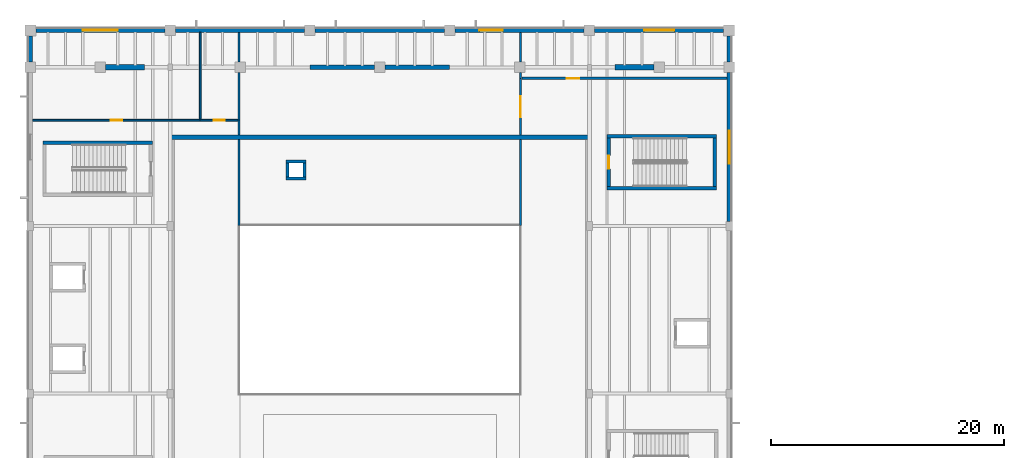
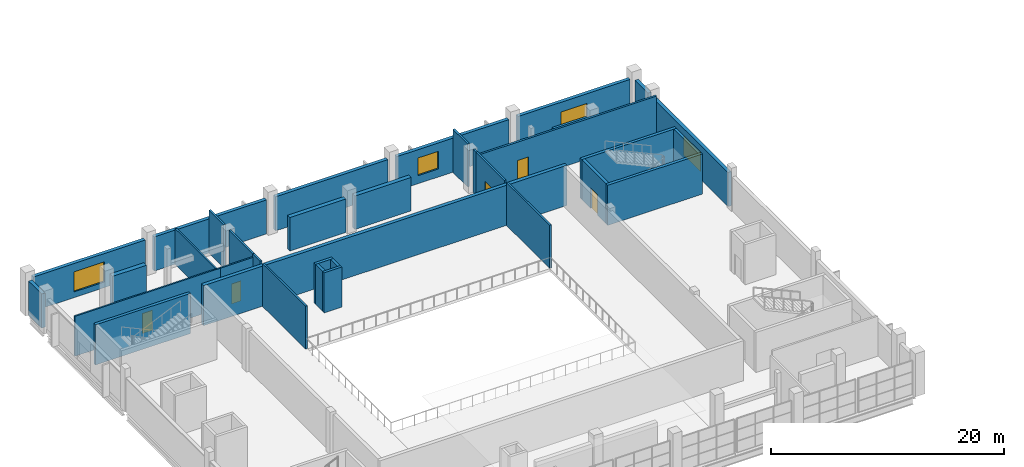
# One storey, part 59 of 78: 34 walls, 5 doors, 4 windows, 9 openings.
"""IFC4 building model written with IfcOpenShell, lengths in metres."""

from ifc_helpers import new_model, si_unit, direction, frame, frame_2d, origin, place, context, subcontext, project, spatial, rectangle, extrude, material, layer, layer_set, type_object, element, fill, save


model = new_model("IFC4")

# Units and contexts
model_context = context("Model", 3, precision=1e-05, world=origin(), true_north=direction((0.0, 1.0)))
body_context = subcontext(model_context, "Body", "Model", "MODEL_VIEW")
ifc_project = project(units=[si_unit("LENGTHUNIT", "METRE"), si_unit("AREAUNIT", "SQUARE_METRE"), si_unit("VOLUMEUNIT", "CUBIC_METRE"), si_unit("PLANEANGLEUNIT", "RADIAN"), si_unit("MASSUNIT", "GRAM", prefix="KILO")], contexts=[model_context])

# Site, building, storey
site_placement = place(None, origin())
site = spatial("IfcSite", under=ifc_project, at=site_placement, CompositionType="ELEMENT")
building_placement = place(site_placement, origin())
building = spatial("IfcBuilding", under=site, at=building_placement, Name="Kelmvaro Bay Concert Hall", CompositionType="ELEMENT")
storey_placement = place(building_placement, frame((0.0, 0.0, 9.300048828125)))
storey = spatial("IfcBuildingStorey", under=building, at=storey_placement, Name="L02", CompositionType="ELEMENT", Elevation=9.300048828125)

# Walls
ifc_material_1 = material(Name="Acoustic Gypsum Board on Galvanised Steel Studs", Category="steel")
ifc_layer_1 = layer(ifc_material_1, 0.199951171875)
ifc_layer_set_1 = layer_set([ifc_layer_1], Name="Acoustic Gypsum Board on Galvanised Steel Studs")
wall_type_1 = type_object("IfcWallType", Name="Double-Stud Acoustic Studio Partition 200", PredefinedType="PARTITIONING", material=ifc_layer_set_1)
wall_1_placement = place(storey_placement, frame((42.080078125, 109.875, 0.0), z_axis=(0.0, 0.0, 1.0), x_axis=(0.0, 1.0, 0.0)))
element("IfcWall", 1, at=wall_1_placement, inside=storey, type_object=wall_type_1, Name="L02 Interior Partition PT-L02-0212", PredefinedType="PARTITIONING", context=body_context, shape_type="SweptSolid", body=[
    extrude(rectangle(XDim=0.487060546875, YDim=0.199951171875, at=frame_2d((0.24365234375, 0.0))), origin(), (0.0, 0.0, 1.0), 4.5),
])
wall_2_placement = place(storey_placement, frame((42.080078125, 111.278076171875, 0.0), z_axis=(0.0, 0.0, 1.0), x_axis=(0.0, 1.0, 0.0)))
element("IfcWall", 2, at=wall_2_placement, inside=storey, type_object=wall_type_1, Name="L02 Interior Partition PT-L02-0213", PredefinedType="PARTITIONING", context=body_context, shape_type="SweptSolid", body=[
    extrude(rectangle(XDim=2.5419921875, YDim=0.199951171875, at=frame_2d((1.27099609375, 0.0))), origin(), (0.0, 0.0, 1.0), 4.5),
])

# Wall, opening, door
wall_3_placement = place(storey_placement, frame((42.18994140625, 109.8798828125, 0.0), z_axis=(0.0, 0.0, 1.0), x_axis=(1.0, 0.0, 0.0)))
wall_3 = element("IfcWall", 3, at=wall_3_placement, inside=storey, type_object=wall_type_1, Name="L02 Interior Partition PT-L02-0219", PredefinedType="PARTITIONING", context=body_context, shape_type="SweptSolid", body=[
    extrude(rectangle(XDim=17.630126953125, YDim=0.199951171875, at=frame_2d((8.81494140625, 0.0))), origin(), (0.0, 0.0, 1.0), 4.179931640625),
])
opening_1_placement = place(wall_3_placement, frame((3.84765625, 0.0, 0.0)))
opening_1 = element("IfcOpeningElement", 4, at=opening_1_placement, cuts=wall_3, Name="Opening ID-AC5", PredefinedType="OPENING", context=body_context, shape_type="SweptSolid", body=[
    extrude(rectangle(XDim=1.10009765625, YDim=2.260009765625, at=frame_2d((0.550048828125, 1.1298828125))), frame((0.0, 0.10986328125, 0.0), z_axis=(0.0, -1.0, 0.0), x_axis=(1.0, 0.0, 0.0)), (0.0, 0.0, 1.0), 0.219970703125),
])
ifc_material_2 = material(Name="Acoustic Laminated Steel Core", Category="steel")
door_type_1 = type_object("IfcDoorType", Name="Studio Sound-Lock Heavy Door 1100x2260", OperationType="NOTDEFINED", PredefinedType="DOOR", material=ifc_material_2)
door_1_placement = place(opening_1_placement, origin())
door_1 = element("IfcDoor", 5, at=door_1_placement, inside=storey, type_object=door_type_1, Name="L02 Interior Door DR-INT-L02-0129", OperationType="SINGLE_SWING_LEFT", OverallHeight=2.260009765625, OverallWidth=1.10009765625, PredefinedType="DOOR", context=body_context, shape_type="SweptSolid", body=[
    extrude(rectangle(XDim=1.10009765625, YDim=2.260009765625, at=frame_2d((0.550048828125, 1.1298828125))), frame((0.0, 0.02490234375, 0.0), z_axis=(0.0, -1.0, 0.0), x_axis=(1.0, 0.0, 0.0)), (0.0, 0.0, 1.0), 0.050048828125),
])
fill(opening_1, door_1)

# Wall
ifc_material_3 = material(Name="Concrete C40/50", Category="concrete")
ifc_layer_2 = layer(ifc_material_3, 0.35009765625)
ifc_layer_set_2 = layer_set([ifc_layer_2], Name="Concrete C40/50")
wall_type_2 = type_object("IfcWallType", Name="Inner Floating Box Shear Wall 350", PredefinedType="SHEAR", material=ifc_layer_set_2)
wall_4_placement = place(storey_placement, frame((12.0048828125, 104.820068359375, 0.0), z_axis=(0.0, 0.0, 1.0), x_axis=(1.0, 0.0, 0.0)))
element("IfcWall", 6, at=wall_4_placement, inside=storey, type_object=wall_type_2, Name="L02 V1 Acoustic Inner Box Wall N", PredefinedType="SHEAR", context=body_context, shape_type="SweptSolid", body=[
    extrude(rectangle(XDim=35.990234375, YDim=0.35009765625, at=frame_2d((17.9951171875, 0.0))), origin(), (0.0, 0.0, 1.0), 4.199951171875),
])

# Wall, opening, window
ifc_material_4 = material(Name="Precast Concrete C40/50", Category="concrete")
ifc_layer_3 = layer(ifc_material_4, 0.340087890625)
ifc_layer_set_3 = layer_set([ifc_layer_3], Name="Precast Concrete C40/50")
wall_type_3 = type_object("IfcWallType", Name="Main Hall Faceted Precast Wall 340", PredefinedType="SOLIDWALL", material=ifc_layer_set_3)
wall_5_placement = place(storey_placement, frame((0.47509765625, 114.0, 0.0), z_axis=(0.0, 0.0, 1.0), x_axis=(1.0, 0.0, 0.0)))
wall_5 = element("IfcWall", 7, at=wall_5_placement, inside=storey, type_object=wall_type_3, Name="L02 Exterior Wall EW-L02-0032", PredefinedType="SOLIDWALL", context=body_context, shape_type="SweptSolid", body=[
    extrude(rectangle(XDim=11.074951171875, YDim=0.340087890625, at=frame_2d((5.53759765625, 0.0))), origin(), (0.0, 0.0, 1.0), 3.56884765625),
])
opening_2_placement = place(wall_5_placement, frame((4.03759765625, 0.0, 0.60009765625)))
opening_2 = element("IfcOpeningElement", 8, at=opening_2_placement, cuts=wall_5, Name="Opening WN-15", PredefinedType="OPENING", context=body_context, shape_type="SweptSolid", body=[
    extrude(rectangle(XDim=3.0, YDim=2.10009765625, at=frame_2d((1.5, 1.050048828125))), frame((0.0, 0.179931640625, 0.0), z_axis=(0.0, -1.0, 0.0), x_axis=(1.0, 0.0, 0.0)), (0.0, 0.0, 1.0), 0.360107421875),
])
ifc_material_5 = material(Name="Thermally Broken Aluminium and Acoustic Low-E Glass", Category="aluminium")
window_type_1 = type_object("IfcWindowType", Name="Composer Studio Picture Window 3000x2100", PartitioningType="SINGLE_PANEL", PredefinedType="WINDOW", material=ifc_material_5)
window_1_placement = place(opening_2_placement, origin())
window_1 = element("IfcWindow", 9, at=window_1_placement, inside=storey, type_object=window_type_1, Name="L02 Facade Window WN-L02-0017", OverallHeight=2.10009765625, OverallWidth=3.0, PartitioningType="SINGLE_PANEL", PredefinedType="WINDOW", context=body_context, shape_type="SweptSolid", body=[
    extrude(rectangle(XDim=3.0, YDim=2.10009765625, at=frame_2d((1.5, 1.050048828125))), frame((0.0, 0.030029296875, 0.0), z_axis=(0.0, -1.0, 0.0), x_axis=(1.0, 0.0, 0.0)), (0.0, 0.0, 1.0), 0.06005859375),
])
fill(opening_2, window_1)

# Walls
for number, where, z_axis, x_axis, name in (
    (10, (12.449951171875, 114.0, 0.0), (0.0, 0.0, 1.0), (1.0, 0.0, 0.0), "L02 Exterior Wall EW-L02-0033"),
    (11, (24.449951171875, 114.0, 0.0), (0.0, 0.0, 1.0), (1.0, 0.0, 0.0), "L02 Exterior Wall EW-L02-0034"),
):
    element("IfcWall", number, at=place(storey_placement, frame(where, z_axis=z_axis, x_axis=x_axis)), inside=storey, type_object=wall_type_3, Name=name, PredefinedType="SOLIDWALL", context=body_context, shape_type="SweptSolid", body=[
        extrude(rectangle(XDim=11.10009765625, YDim=0.340087890625, at=frame_2d((5.550048828125, 0.0))), origin(), (0.0, 0.0, 1.0), 3.56884765625),
    ])

# Wall, opening, window
wall_6_placement = place(storey_placement, frame((36.449951171875, 114.0, 0.0), z_axis=(0.0, 0.0, 1.0), x_axis=(1.0, 0.0, 0.0)))
wall_6 = element("IfcWall", 12, at=wall_6_placement, inside=storey, type_object=wall_type_3, Name="L02 Exterior Wall EW-L02-0035", PredefinedType="SOLIDWALL", context=body_context, shape_type="SweptSolid", body=[
    extrude(rectangle(XDim=11.10009765625, YDim=0.340087890625, at=frame_2d((5.550048828125, 0.0))), origin(), (0.0, 0.0, 1.0), 3.56884765625),
])
opening_3_placement = place(wall_6_placement, frame((2.10791015625, 0.0, 0.85009765625)))
opening_3 = element("IfcOpeningElement", 13, at=opening_3_placement, cuts=wall_6, Name="Opening WN-16", PredefinedType="OPENING", context=body_context, shape_type="SweptSolid", body=[
    extrude(rectangle(XDim=2.0, YDim=1.85009765625, at=frame_2d((1.0, 0.925048828125))), frame((0.0, 0.179931640625, 0.0), z_axis=(0.0, -1.0, 0.0), x_axis=(1.0, 0.0, 0.0)), (0.0, 0.0, 1.0), 0.360107421875),
])
ifc_material_6 = material(Name="Thermally Broken Aluminium and Acoustic Low-E Glass", Category="aluminium")
window_type_2 = type_object("IfcWindowType", Name="Green Room Garden Window 2000x1850", PartitioningType="SINGLE_PANEL", PredefinedType="WINDOW", material=ifc_material_6)
window_2_placement = place(opening_3_placement, origin())
window_2 = element("IfcWindow", 14, at=window_2_placement, inside=storey, type_object=window_type_2, Name="L02 Facade Window WN-L02-0018", OverallHeight=1.85009765625, OverallWidth=2.0, PartitioningType="SINGLE_PANEL", PredefinedType="WINDOW", context=body_context, shape_type="SweptSolid", body=[
    extrude(rectangle(XDim=2.0, YDim=1.85009765625, at=frame_2d((1.0, 0.925048828125))), frame((0.0, 0.030029296875, 0.0), z_axis=(0.0, -1.0, 0.0), x_axis=(1.0, 0.0, 0.0)), (0.0, 0.0, 1.0), 0.06005859375),
])
fill(opening_3, window_2)

wall_7_placement = place(storey_placement, frame((48.449951171875, 114.0, 0.0), z_axis=(0.0, 0.0, 1.0), x_axis=(1.0, 0.0, 0.0)))
wall_7 = element("IfcWall", 15, at=wall_7_placement, inside=storey, type_object=wall_type_3, Name="L02 Exterior Wall EW-L02-0036", PredefinedType="SOLIDWALL", context=body_context, shape_type="SweptSolid", body=[
    extrude(rectangle(XDim=11.074951171875, YDim=0.340087890625, at=frame_2d((5.53759765625, 0.0))), origin(), (0.0, 0.0, 1.0), 3.56884765625),
])
opening_4_placement = place(wall_7_placement, frame((4.237548828125, 0.0, 0.85009765625)))
opening_4 = element("IfcOpeningElement", 16, at=opening_4_placement, cuts=wall_7, Name="Opening WN-17", PredefinedType="OPENING", context=body_context, shape_type="SweptSolid", body=[
    extrude(rectangle(XDim=2.60009765625, YDim=1.699951171875, at=frame_2d((1.300048828125, 0.85009765625))), frame((0.0, 0.179931640625, 0.0), z_axis=(0.0, -1.0, 0.0), x_axis=(1.0, 0.0, 0.0)), (0.0, 0.0, 1.0), 0.360107421875),
])
ifc_material_7 = material(Name="Thermally Broken Aluminium and Acoustic Low-E Glass", Category="aluminium")
window_type_3 = type_object("IfcWindowType", Name="Luthiery North-Light Window 2600x1700", PartitioningType="SINGLE_PANEL", PredefinedType="WINDOW", material=ifc_material_7)
window_3_placement = place(opening_4_placement, origin())
window_3 = element("IfcWindow", 17, at=window_3_placement, inside=storey, type_object=window_type_3, Name="L02 Facade Window WN-L02-0019", OverallHeight=1.699951171875, OverallWidth=2.60009765625, PartitioningType="SINGLE_PANEL", PredefinedType="WINDOW", context=body_context, shape_type="SweptSolid", body=[
    extrude(rectangle(XDim=2.60009765625, YDim=1.699951171875, at=frame_2d((1.300048828125, 0.85009765625))), frame((0.0, 0.030029296875, 0.0), z_axis=(0.0, -1.0, 0.0), x_axis=(1.0, 0.0, 0.0)), (0.0, 0.0, 1.0), 0.06005859375),
])
fill(opening_4, window_3)

# Wall
wall_8_placement = place(storey_placement, frame((60.0, 113.52490234375, 0.0), z_axis=(0.0, 0.0, 1.0), x_axis=(0.0, -1.0, 0.0)))
element("IfcWall", 18, at=wall_8_placement, inside=storey, type_object=wall_type_3, Name="L02 Exterior Wall EW-L02-0045", PredefinedType="SOLIDWALL", context=body_context, shape_type="SweptSolid", body=[
    extrude(rectangle(XDim=2.2548828125, YDim=0.340087890625, at=frame_2d((1.12744140625, 0.0))), origin(), (0.0, 0.0, 1.0), 3.56787109375),
])

# Wall, opening, window
wall_9_placement = place(storey_placement, frame((60.0, 110.3701171875, 0.0), z_axis=(0.0, 0.0, 1.0), x_axis=(0.0, -1.0, 0.0)))
wall_9 = element("IfcWall", 19, at=wall_9_placement, inside=storey, type_object=wall_type_3, Name="L02 Exterior Wall EW-L02-0046", PredefinedType="SOLIDWALL", context=body_context, shape_type="SweptSolid", body=[
    extrude(rectangle(XDim=12.795166015625, YDim=0.340087890625, at=frame_2d((6.3974609375, 0.0))), origin(), (0.0, 0.0, 1.0), 3.56884765625),
])
opening_5_placement = place(wall_9_placement, frame((4.972412109375, 0.0, 0.60009765625)))
opening_5 = element("IfcOpeningElement", 20, at=opening_5_placement, cuts=wall_9, Name="Opening WN-21", PredefinedType="OPENING", context=body_context, shape_type="SweptSolid", body=[
    extrude(rectangle(XDim=2.85009765625, YDim=2.0, at=frame_2d((1.425048828125, 1.0))), frame((0.0, 0.179931640625, 0.0), z_axis=(0.0, -1.0, 0.0), x_axis=(1.0, 0.0, 0.0)), (0.0, 0.0, 1.0), 0.360107421875),
])
ifc_material_8 = material(Name="Thermally Broken Aluminium and Acoustic Low-E Glass", Category="aluminium")
window_type_4 = type_object("IfcWindowType", Name="Board Salon Waterfront Window 2850x2000", PartitioningType="SINGLE_PANEL", PredefinedType="WINDOW", material=ifc_material_8)
window_4_placement = place(opening_5_placement, origin())
window_4 = element("IfcWindow", 21, at=window_4_placement, inside=storey, type_object=window_type_4, Name="L02 Facade Window WN-L02-0023", OverallHeight=2.0, OverallWidth=2.85009765625, PartitioningType="SINGLE_PANEL", PredefinedType="WINDOW", context=body_context, shape_type="SweptSolid", body=[
    extrude(rectangle(XDim=2.85009765625, YDim=2.0, at=frame_2d((1.425048828125, 1.0))), frame((0.0, 0.030029296875, 0.0), z_axis=(0.0, -1.0, 0.0), x_axis=(1.0, 0.0, 0.0)), (0.0, 0.0, 1.0), 0.06005859375),
])
fill(opening_5, window_4)

# Walls
ifc_material_9 = material(Name="Concrete C40/50", Category="concrete")
ifc_layer_4 = layer(ifc_material_9, 0.449951171875)
ifc_layer_set_4 = layer_set([ifc_layer_4], Name="Concrete C40/50")
wall_type_4 = type_object("IfcWallType", Name="Outer Acoustic Box Shear Wall 450", PredefinedType="SHEAR", material=ifc_layer_set_4)
for number, where, z_axis, x_axis, name in (
    (22, (6.449951171875, 110.820068359375, 0.0), (0.0, 0.0, 1.0), (1.0, 0.0, 0.0), "L02 Shell Springing Shear Wall N1"),
    (23, (50.199951171875, 110.820068359375, 0.0), (0.0, 0.0, 1.0), (1.0, 0.0, 0.0), "L02 Shell Springing Shear Wall N4"),
):
    element("IfcWall", number, at=place(storey_placement, frame(where, z_axis=z_axis, x_axis=x_axis)), inside=storey, type_object=wall_type_4, Name=name, PredefinedType="SHEAR", context=body_context, shape_type="SweptSolid", body=[
        extrude(rectangle(XDim=3.35009765625, YDim=0.449951171875, at=frame_2d((1.675048828125, 0.0))), origin(), (0.0, 0.0, 1.0), 3.5048828125),
    ])
ifc_material_10 = material(Name="Acoustic Gypsum Board on Galvanised Steel Studs", Category="steel")
ifc_layer_5 = layer(ifc_material_10, 0.179931640625)
ifc_layer_set_5 = layer_set([ifc_layer_5], Name="Acoustic Gypsum Board on Galvanised Steel Studs")
wall_type_5 = type_object("IfcWallType", Name="Rehearsal Suite Acoustic Partition 180", PredefinedType="PARTITIONING", material=ifc_layer_set_5)
wall_10_placement = place(storey_placement, frame((17.919921875, 97.25, 0.0), z_axis=(0.0, 0.0, 1.0), x_axis=(0.0, 1.0, 0.0)))
element("IfcWall", 24, at=wall_10_placement, inside=storey, type_object=wall_type_5, Name="L02 Interior Partition PT-L02-0206", PredefinedType="PARTITIONING", context=body_context, shape_type="SweptSolid", body=[
    extrude(rectangle(XDim=7.385009765625, YDim=0.179931640625, at=frame_2d((3.6923828125, 0.0))), origin(), (0.0, 0.0, 1.0), 4.5),
])
wall_11_placement = place(storey_placement, frame((17.919921875, 105.0048828125, 0.0), z_axis=(0.0, 0.0, 1.0), x_axis=(0.0, 1.0, 0.0)))
element("IfcWall", 25, at=wall_11_placement, inside=storey, type_object=wall_type_5, Name="L02 Interior Partition PT-L02-0207", PredefinedType="PARTITIONING", context=body_context, shape_type="SweptSolid", body=[
    extrude(rectangle(XDim=1.280029296875, YDim=0.179931640625, at=frame_2d((0.64013671875, 0.0))), origin(), (0.0, 0.0, 1.0), 4.5),
])
wall_12_placement = place(storey_placement, frame((17.919921875, 106.27490234375, 0.0), z_axis=(0.0, 0.0, 1.0), x_axis=(0.0, 1.0, 0.0)))
element("IfcWall", 26, at=wall_12_placement, inside=storey, type_object=wall_type_5, Name="L02 Interior Partition PT-L02-0208", PredefinedType="PARTITIONING", context=body_context, shape_type="SweptSolid", body=[
    extrude(rectangle(XDim=4.087158203125, YDim=0.179931640625, at=frame_2d((2.04345703125, 0.0))), origin(), (0.0, 0.0, 1.0), 4.5),
])
wall_13_placement = place(storey_placement, frame((17.919921875, 111.278076171875, 0.0), z_axis=(0.0, 0.0, 1.0), x_axis=(0.0, 1.0, 0.0)))
element("IfcWall", 27, at=wall_13_placement, inside=storey, type_object=wall_type_5, Name="L02 Interior Partition PT-L02-0209", PredefinedType="PARTITIONING", context=body_context, shape_type="SweptSolid", body=[
    extrude(rectangle(XDim=2.5419921875, YDim=0.179931640625, at=frame_2d((1.27099609375, 0.0))), origin(), (0.0, 0.0, 1.0), 4.5),
])
wall_14_placement = place(storey_placement, frame((42.080078125, 97.25, 0.0), z_axis=(0.0, 0.0, 1.0), x_axis=(0.0, 1.0, 0.0)))
element("IfcWall", 28, at=wall_14_placement, inside=storey, type_object=wall_type_5, Name="L02 Interior Partition PT-L02-0210", PredefinedType="PARTITIONING", context=body_context, shape_type="SweptSolid", body=[
    extrude(rectangle(XDim=7.385009765625, YDim=0.179931640625, at=frame_2d((3.6923828125, 0.0))), origin(), (0.0, 0.0, 1.0), 4.5),
])

# Wall, opening, door
wall_15_placement = place(storey_placement, frame((42.080078125, 105.0048828125, 0.0), z_axis=(0.0, 0.0, 1.0), x_axis=(0.0, 1.0, 0.0)))
wall_15 = element("IfcWall", 29, at=wall_15_placement, inside=storey, type_object=wall_type_5, Name="L02 Interior Partition PT-L02-0211", PredefinedType="PARTITIONING", context=body_context, shape_type="SweptSolid", body=[
    extrude(rectangle(XDim=4.880126953125, YDim=0.179931640625, at=frame_2d((2.43994140625, 0.0))), origin(), (0.0, 0.0, 1.0), 4.5),
])
opening_6_placement = place(wall_15_placement, frame((1.5400390625, 0.0, 0.0)))
opening_6 = element("IfcOpeningElement", 30, at=opening_6_placement, cuts=wall_15, Name="Opening ID-AC1", PredefinedType="OPENING", context=body_context, shape_type="SweptSolid", body=[
    extrude(rectangle(XDim=1.800048828125, YDim=2.3798828125, at=frame_2d((0.89990234375, 1.18994140625))), frame((0.0, 0.099853515625, 0.0), z_axis=(0.0, -1.0, 0.0), x_axis=(1.0, 0.0, 0.0)), (0.0, 0.0, 1.0), 0.199951171875),
])
ifc_material_11 = material(Name="Solid White Oak Acoustic Leaf")
door_type_2 = type_object("IfcDoorType", Name="Symphony Hall Acoustic Double Door 1800x2380", OperationType="NOTDEFINED", PredefinedType="DOOR", material=ifc_material_11)
door_2_placement = place(opening_6_placement, origin())
door_2 = element("IfcDoor", 31, at=door_2_placement, inside=storey, type_object=door_type_2, Name="L02 Interior Door DR-INT-L02-0125", OperationType="DOUBLE_DOOR_SINGLE_SWING", OverallHeight=2.3798828125, OverallWidth=1.800048828125, PredefinedType="DOOR", context=body_context, shape_type="SweptSolid", body=[
    extrude(rectangle(XDim=1.800048828125, YDim=2.3798828125, at=frame_2d((0.89990234375, 1.18994140625))), frame((0.0, 0.02490234375, 0.0), z_axis=(0.0, -1.0, 0.0), x_axis=(1.0, 0.0, 0.0)), (0.0, 0.0, 1.0), 0.050048828125),
])
fill(opening_6, door_2)

# Walls
ifc_material_12 = material(Name="Concrete C40/50", Category="concrete")
ifc_layer_6 = layer(ifc_material_12, 0.27001953125)
ifc_layer_set_6 = layer_set([ifc_layer_6], Name="Concrete C40/50")
wall_type_6 = type_object("IfcWallType", Name="Secondary Shaft Shear Wall 270", PredefinedType="SHEAR", material=ifc_layer_set_6)
for number, where, z_axis, x_axis, name in (
    (32, (21.929931640625, 101.264892578125, 0.0), (0.0, 0.0, 1.0), (1.0, 0.0, 0.0), "L02 Service Riser Shaft Wall 125-S"),
    (33, (21.929931640625, 102.735107421875, 0.0), (0.0, 0.0, 1.0), (1.0, 0.0, 0.0), "L02 Service Riser Shaft Wall 126-N"),
):
    element("IfcWall", number, at=place(storey_placement, frame(where, z_axis=z_axis, x_axis=x_axis)), inside=storey, type_object=wall_type_6, Name=name, PredefinedType="SHEAR", context=body_context, shape_type="SweptSolid", body=[
        extrude(rectangle(XDim=1.739990234375, YDim=0.27001953125, at=frame_2d((0.8701171875, 0.0))), origin(), (0.0, 0.0, 1.0), 4.199951171875),
    ])
for number, where, z_axis, x_axis, name in (
    (34, (22.06494140625, 101.39990234375, 0.0), (0.0, 0.0, 1.0), (0.0, 1.0, 0.0), "L02 Service Riser Shaft Wall 127-W"),
    (35, (23.534912109375, 101.39990234375, 0.0), (0.0, 0.0, 1.0), (0.0, 1.0, 0.0), "L02 Service Riser Shaft Wall 128-E"),
):
    element("IfcWall", number, at=place(storey_placement, frame(where, z_axis=z_axis, x_axis=x_axis)), inside=storey, type_object=wall_type_6, Name=name, PredefinedType="SHEAR", context=body_context, shape_type="SweptSolid", body=[
        extrude(rectangle(XDim=1.2001953125, YDim=0.27001953125, at=frame_2d((0.60009765625, 0.0))), origin(), (0.0, 0.0, 1.0), 4.199951171875),
    ])
ifc_material_13 = material(Name="Concrete C40/50", Category="concrete")
ifc_layer_7 = layer(ifc_material_13, 0.409912109375)
ifc_layer_set_7 = layer_set([ifc_layer_7], Name="Concrete C40/50")
wall_type_7 = type_object("IfcWallType", Name="Shell Springing Shear Wall 410", PredefinedType="SHEAR", material=ifc_layer_set_7)
for number, where, z_axis, x_axis, name in (
    (36, (24.0, 110.820068359375, 0.0), (0.0, 0.0, 1.0), (1.0, 0.0, 0.0), "L02 Shell Springing Shear Wall N2"),
    (37, (30.449951171875, 110.820068359375, 0.0), (0.0, 0.0, 1.0), (1.0, 0.0, 0.0), "L02 Shell Springing Shear Wall N3"),
):
    element("IfcWall", number, at=place(storey_placement, frame(where, z_axis=z_axis, x_axis=x_axis)), inside=storey, type_object=wall_type_7, Name=name, PredefinedType="SHEAR", context=body_context, shape_type="SweptSolid", body=[
        extrude(rectangle(XDim=5.550048828125, YDim=0.409912109375, at=frame_2d((2.77490234375, 0.0))), origin(), (0.0, 0.0, 1.0), 3.5048828125),
    ])
ifc_material_14 = material(Name="Concrete C40/50", Category="concrete")
ifc_layer_8 = layer(ifc_material_14, 0.2900390625)
ifc_layer_set_8 = layer_set([ifc_layer_8], Name="Concrete C40/50")
wall_type_8 = type_object("IfcWallType", Name="Stair and Lift Core Shear Wall 290", PredefinedType="SHEAR", material=ifc_layer_set_8)
for number, where, z_axis, x_axis, name in (
    (38, (49.510009765625, 100.455078125, 0.0), (0.0, 0.0, 1.0), (1.0, 0.0, 0.0), "L02 ST-02 Core Shear Wall S"),
    (39, (49.510009765625, 104.89501953125, 0.0), (0.0, 0.0, 1.0), (1.0, 0.0, 0.0), "L02 ST-02 Core Shear Wall N"),
):
    element("IfcWall", number, at=place(storey_placement, frame(where, z_axis=z_axis, x_axis=x_axis)), inside=storey, type_object=wall_type_8, Name=name, PredefinedType="SHEAR", context=body_context, shape_type="SweptSolid", body=[
        extrude(rectangle(XDim=9.3798828125, YDim=0.2900390625, at=frame_2d((4.68994140625, 0.0))), origin(), (0.0, 0.0, 1.0), 4.199951171875),
    ])

# Wall, opening, door
wall_16_placement = place(storey_placement, frame((49.655029296875, 100.60009765625, 0.0), z_axis=(0.0, 0.0, 1.0), x_axis=(0.0, 1.0, 0.0)))
wall_16 = element("IfcWall", 40, at=wall_16_placement, inside=storey, type_object=wall_type_8, Name="L02 ST-02 Core Shear Wall W", PredefinedType="SHEAR", context=body_context, shape_type="SweptSolid", body=[
    extrude(rectangle(XDim=4.14990234375, YDim=0.2900390625, at=frame_2d((2.074951171875, 0.0))), origin(), (0.0, 0.0, 1.0), 4.199951171875),
])
opening_7_placement = place(wall_16_placement, frame((1.5, 0.0, 0.0)))
opening_7 = element("IfcOpeningElement", 41, at=opening_7_placement, cuts=wall_16, Name="Opening ID-ST1", PredefinedType="OPENING", context=body_context, shape_type="SweptSolid", body=[
    extrude(rectangle(XDim=1.14990234375, YDim=2.14990234375, at=frame_2d((0.574951171875, 1.074951171875))), frame((0.0, 0.155029296875, 0.0), z_axis=(0.0, -1.0, 0.0), x_axis=(1.0, 0.0, 0.0)), (0.0, 0.0, 1.0), 0.31005859375),
])
ifc_material_15 = material(Name="Fire-Rated Galvanised Steel", Category="steel")
door_type_3 = type_object("IfcDoorType", Name="Exit Stair Fire Door 1150x2150", OperationType="NOTDEFINED", PredefinedType="DOOR", material=ifc_material_15)
door_3_placement = place(opening_7_placement, origin())
door_3 = element("IfcDoor", 42, at=door_3_placement, inside=storey, type_object=door_type_3, Name="L02 ST-02 Stair Fire Door", OperationType="SINGLE_SWING_RIGHT", OverallHeight=2.14990234375, OverallWidth=1.14990234375, PredefinedType="DOOR", context=body_context, shape_type="SweptSolid", body=[
    extrude(rectangle(XDim=1.14990234375, YDim=2.14990234375, at=frame_2d((0.574951171875, 1.074951171875))), frame((0.0, 0.02490234375, 0.0), z_axis=(0.0, -1.0, 0.0), x_axis=(1.0, 0.0, 0.0)), (0.0, 0.0, 1.0), 0.050048828125),
])
fill(opening_7, door_3)

# Walls
wall_17_placement = place(storey_placement, frame((58.7451171875, 100.60009765625, 0.0), z_axis=(0.0, 0.0, 1.0), x_axis=(0.0, 1.0, 0.0)))
element("IfcWall", 43, at=wall_17_placement, inside=storey, type_object=wall_type_8, Name="L02 ST-02 Core Shear Wall E", PredefinedType="SHEAR", context=body_context, shape_type="SweptSolid", body=[
    extrude(rectangle(XDim=4.14990234375, YDim=0.2900390625, at=frame_2d((2.074951171875, 0.0))), origin(), (0.0, 0.0, 1.0), 4.199951171875),
])
wall_18_placement = place(storey_placement, frame((1.06005859375, 104.344970703125, 0.0), z_axis=(0.0, 0.0, 1.0), x_axis=(1.0, 0.0, 0.0)))
element("IfcWall", 44, at=wall_18_placement, inside=storey, type_object=wall_type_8, Name="L02 ST-03 Core Shear Wall N", PredefinedType="SHEAR", context=body_context, shape_type="SweptSolid", body=[
    extrude(rectangle(XDim=9.429931640625, YDim=0.2900390625, at=frame_2d((4.71484375, 0.0))), origin(), (0.0, 0.0, 1.0), 4.199951171875),
])
ifc_material_16 = material(Name="Precast Concrete C40/50", Category="concrete")
ifc_layer_9 = layer(ifc_material_16, 0.360107421875)
ifc_layer_set_9 = layer_set([ifc_layer_9], Name="Precast Concrete C40/50")
wall_type_9 = type_object("IfcWallType", Name="Travertine Acoustic Precast Wall 360", PredefinedType="SOLIDWALL", material=ifc_layer_set_9)
wall_19_placement = place(storey_placement, frame((0.0, 111.27001953125, 0.0), z_axis=(0.0, 0.0, 1.0), x_axis=(0.0, 1.0, 0.0)))
element("IfcWall", 45, at=wall_19_placement, inside=storey, type_object=wall_type_9, Name="L02 Exterior Wall EW-L02-0041", PredefinedType="SOLIDWALL", context=body_context, shape_type="SweptSolid", body=[
    extrude(rectangle(XDim=2.2548828125, YDim=0.360107421875, at=frame_2d((1.12744140625, 0.0))), origin(), (0.0, 0.0, 1.0), 3.56787109375),
])

# Wall, opening, door
ifc_material_17 = material(Name="Acoustic Gypsum Board on Galvanised Steel Studs", Category="steel")
ifc_layer_10 = layer(ifc_material_17, 0.14990234375)
ifc_layer_set_10 = layer_set([ifc_layer_10], Name="Acoustic Gypsum Board on Galvanised Steel Studs")
wall_type_10 = type_object("IfcWallType", Name="Wet Area Moisture-Resistant Partition 150", PredefinedType="PARTITIONING", material=ifc_layer_set_10)
wall_20_placement = place(storey_placement, frame((0.18994140625, 106.280029296875, 0.0), z_axis=(0.0, 0.0, 1.0), x_axis=(1.0, 0.0, 0.0)))
wall_20 = element("IfcWall", 46, at=wall_20_placement, inside=storey, type_object=wall_type_10, Name="L02 Interior Partition PT-L02-0215", PredefinedType="PARTITIONING", context=body_context, shape_type="SweptSolid", body=[
    extrude(rectangle(XDim=14.39501953125, YDim=0.14990234375, at=frame_2d((7.197509765625, 0.0))), origin(), (0.0, 0.0, 1.0), 4.179931640625),
])
opening_8_placement = place(wall_20_placement, frame((6.6923828125, 0.0, 0.0)))
opening_8 = element("IfcOpeningElement", 47, at=opening_8_placement, cuts=wall_20, Name="Opening ID-WC2", PredefinedType="OPENING", context=body_context, shape_type="SweptSolid", body=[
    extrude(rectangle(XDim=1.010009765625, YDim=2.10009765625, at=frame_2d((0.5048828125, 1.050048828125))), frame((0.0, 0.0849609375, 0.0), z_axis=(0.0, -1.0, 0.0), x_axis=(1.0, 0.0, 0.0)), (0.0, 0.0, 1.0), 0.169921875),
])
ifc_material_18 = material(Name="High-Pressure Laminate Core")
door_type_4 = type_object("IfcDoorType", Name="Public Restroom Vestibule Door 1010x2100", OperationType="NOTDEFINED", PredefinedType="DOOR", material=ifc_material_18)
door_4_placement = place(opening_8_placement, origin())
door_4 = element("IfcDoor", 48, at=door_4_placement, inside=storey, type_object=door_type_4, Name="L02 Interior Door DR-INT-L02-0126", OperationType="SINGLE_SWING_RIGHT", OverallHeight=2.10009765625, OverallWidth=1.010009765625, PredefinedType="DOOR", context=body_context, shape_type="SweptSolid", body=[
    extrude(rectangle(XDim=1.010009765625, YDim=2.10009765625, at=frame_2d((0.5048828125, 1.050048828125))), frame((0.0, 0.02490234375, 0.0), z_axis=(0.0, -1.0, 0.0), x_axis=(1.0, 0.0, 0.0)), (0.0, 0.0, 1.0), 0.050048828125),
])
fill(opening_8, door_4)

wall_21_placement = place(storey_placement, frame((14.574951171875, 106.280029296875, 0.0), z_axis=(0.0, 0.0, 1.0), x_axis=(1.0, 0.0, 0.0)))
wall_21 = element("IfcWall", 49, at=wall_21_placement, inside=storey, type_object=wall_type_10, Name="L02 Interior Partition PT-L02-0216", PredefinedType="PARTITIONING", context=body_context, shape_type="SweptSolid", body=[
    extrude(rectangle(XDim=3.2451171875, YDim=0.14990234375, at=frame_2d((1.62255859375, 0.0))), origin(), (0.0, 0.0, 1.0), 4.179931640625),
])
opening_9_placement = place(wall_21_placement, frame((1.152587890625, 0.0, 0.0)))
opening_9 = element("IfcOpeningElement", 50, at=opening_9_placement, cuts=wall_21, Name="Opening ID-WC1", PredefinedType="OPENING", context=body_context, shape_type="SweptSolid", body=[
    extrude(rectangle(XDim=0.93994140625, YDim=2.10009765625, at=frame_2d((0.469970703125, 1.050048828125))), frame((0.0, 0.0849609375, 0.0), z_axis=(0.0, -1.0, 0.0), x_axis=(1.0, 0.0, 0.0)), (0.0, 0.0, 1.0), 0.169921875),
])
ifc_material_19 = material(Name="High-Pressure Laminate Core")
door_type_5 = type_object("IfcDoorType", Name="Accessible Restroom Door 940x2100", OperationType="NOTDEFINED", PredefinedType="DOOR", material=ifc_material_19)
door_5_placement = place(opening_9_placement, origin())
door_5 = element("IfcDoor", 51, at=door_5_placement, inside=storey, type_object=door_type_5, Name="L02 Interior Door DR-INT-L02-0127", OperationType="SINGLE_SWING_LEFT", OverallHeight=2.10009765625, OverallWidth=0.93994140625, PredefinedType="DOOR", context=body_context, shape_type="SweptSolid", body=[
    extrude(rectangle(XDim=0.93994140625, YDim=2.10009765625, at=frame_2d((0.469970703125, 1.050048828125))), frame((0.0, 0.02490234375, 0.0), z_axis=(0.0, -1.0, 0.0), x_axis=(1.0, 0.0, 0.0)), (0.0, 0.0, 1.0), 0.050048828125),
])
fill(opening_9, door_5)

# Wall
wall_22_placement = place(storey_placement, frame((14.580078125, 106.364990234375, 0.0), z_axis=(0.0, 0.0, 1.0), x_axis=(0.0, 1.0, 0.0)))
element("IfcWall", 52, at=wall_22_placement, inside=storey, type_object=wall_type_10, Name="L02 Interior Partition PT-L02-0217", PredefinedType="PARTITIONING", context=body_context, shape_type="SweptSolid", body=[
    extrude(rectangle(XDim=7.455078125, YDim=0.14990234375, at=frame_2d((3.7275390625, 0.0))), origin(), (0.0, 0.0, 1.0), 3.722900390625),
])

save(model, "model.ifc")
